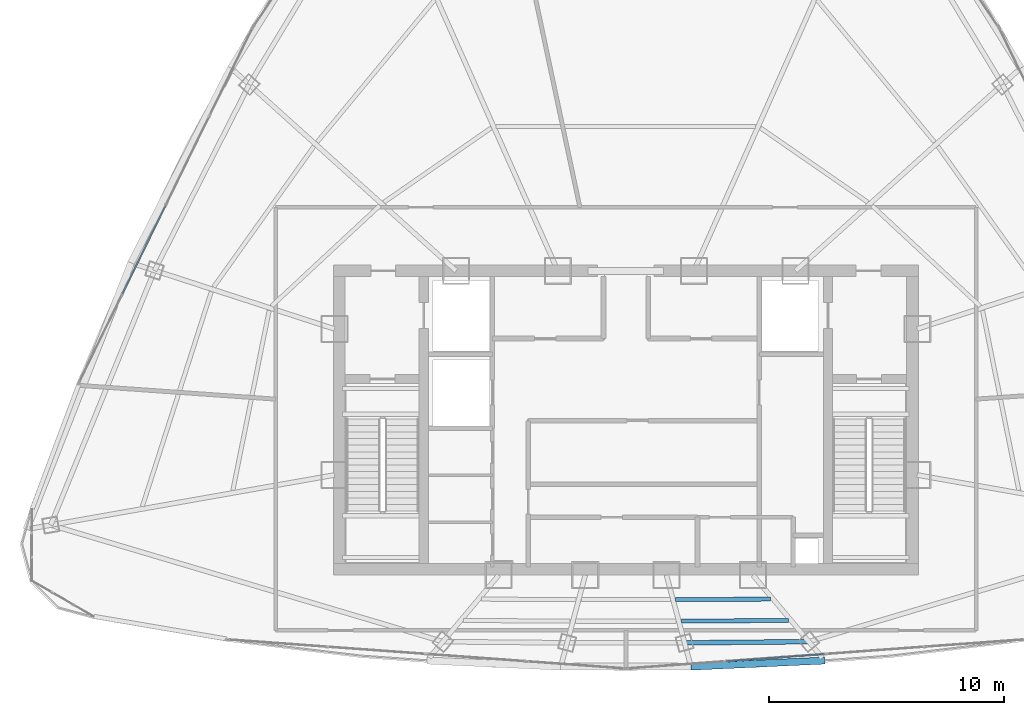
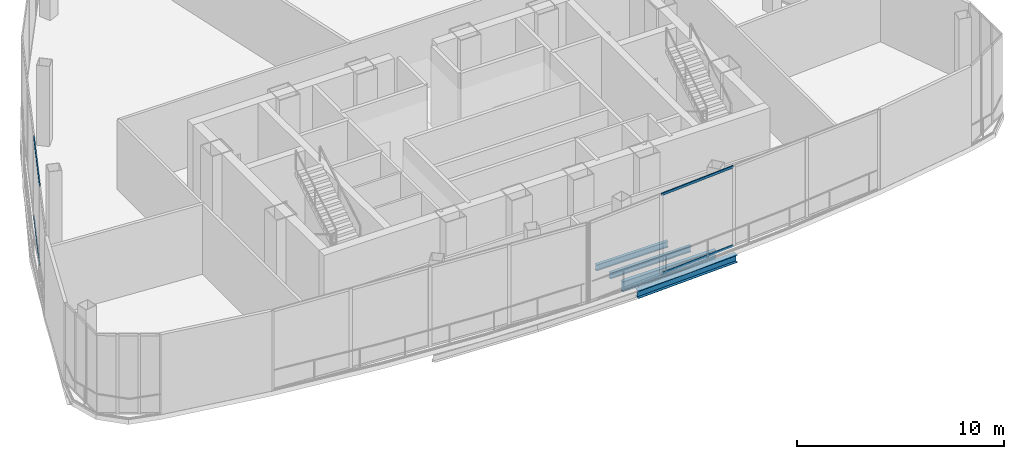
# One storey, part 9 of 33: 4 beams, 4 members, 2 elements without a shape of their own.
"""IFC4 building model written with IfcOpenShell, lengths in metres."""

from ifc_helpers import new_model, si_unit, direction, frame, origin, origin_2d, place, context, subcontext, project, spatial, hollow_rectangle, i_section, extrude, source, transform, mapped, material, layer, layer_set, material_profile, profile_set, type_object, element, aggregate, save


model = new_model("IFC4")

# Units and contexts
model_context = context("Model", 3, precision=1e-05, world=origin(), true_north=direction((0.0, 1.0)))
body_context = subcontext(model_context, "Body", "Model", "MODEL_VIEW")
ifc_project = project(units=[si_unit("LENGTHUNIT", "METRE"), si_unit("AREAUNIT", "SQUARE_METRE"), si_unit("VOLUMEUNIT", "CUBIC_METRE"), si_unit("PLANEANGLEUNIT", "RADIAN"), si_unit("MASSUNIT", "GRAM", prefix="KILO"), si_unit("THERMODYNAMICTEMPERATUREUNIT", "KELVIN"), si_unit("POWERUNIT", "WATT")], contexts=[model_context])

# Site, building, storey
site_placement = place(None, origin())
site = spatial("IfcSite", under=ifc_project, at=site_placement, CompositionType="ELEMENT")
building_placement = place(site_placement, origin())
building = spatial("IfcBuilding", under=site, at=building_placement, Name="Yunzhuo Pagoda Commons", CompositionType="ELEMENT")
storey_placement = place(building_placement, frame((0.0, 0.0, 391.760009765625)))
storey = spatial("IfcBuildingStorey", under=building, at=storey_placement, Name="L97", CompositionType="ELEMENT", Elevation=391.760009765625)

# Beams
ifc_material_1 = material(Name="Structural steel Q355B", Category="steel")
ifc_material_profile_1 = material_profile(ifc_material_1, i_section(OverallWidth=0.199951171875, OverallDepth=0.60009765625, WebThickness=0.010986328125, FlangeThickness=0.01708984375, at=origin_2d()), Name="Structural steel Q355B")
ifc_profile_set_1 = profile_set([ifc_material_profile_1], Name="Structural steel Q355B")
beam_type_1 = type_object("IfcBeamType", Name="B-RG3 Beam HN 600x200x11x17", PredefinedType="BEAM", material=ifc_profile_set_1)
shared_shape_1 = source(origin(), body_context, "Body", "SweptSolid", [
    extrude(i_section(OverallWidth=0.199951171875, OverallDepth=0.60009765625, WebThickness=0.010986328125, FlangeThickness=0.01708984375, at=origin_2d()), origin(), (0.0, 0.0, 1.0), 5.286376953125),
])
beam_1_placement = place(storey_placement, frame((50.499267578125, 24.372802734375, -0.580078125), z_axis=(0.999957341442, 0.009236627946, 0.0), x_axis=(-0.009236627946, 0.999957341442, 0.0)))
element("IfcBeam", 1, at=beam_1_placement, inside=storey, type_object=beam_type_1, Name="L97 column-ring beam 3", PredefinedType="BEAM", context=body_context, shape_type="MappedRepresentation", body=[
    mapped(shared_shape_1, transform((0.0, 0.0, 0.0), scale=1.0)),
])
ifc_material_profile_2 = material_profile(ifc_material_1, i_section(OverallWidth=0.175048828125, OverallDepth=0.35009765625, WebThickness=0.007080078125, FlangeThickness=0.010986328125, at=origin_2d()), Name="Structural steel Q355B")
ifc_profile_set_2 = profile_set([ifc_material_profile_2], Name="Structural steel Q355B")
beam_type_2 = type_object("IfcBeamType", Name="B-JS2 Joist HN 350x175x7x11", PredefinedType="JOIST", material=ifc_profile_set_2)
shared_shape_2 = source(origin(), body_context, "Body", "SweptSolid", [
    extrude(i_section(OverallWidth=0.175048828125, OverallDepth=0.35009765625, WebThickness=0.007080078125, FlangeThickness=0.010986328125, at=origin_2d()), origin(), (0.0, 0.0, 1.0), 4.03076171875),
])
beam_2_placement = place(storey_placement, frame((50.120849609375, 26.214599609375, -0.455078125), z_axis=(0.999991518197, 0.004118680996, 0.0), x_axis=(-0.004118680996, 0.999991518197, 0.0)))
element("IfcBeam", 2, at=beam_2_placement, inside=storey, type_object=beam_type_2, Name="L97 composite ring joist 1.3", PredefinedType="JOIST", context=body_context, shape_type="MappedRepresentation", body=[
    mapped(shared_shape_2, transform((0.0, 0.0, 0.0), scale=1.0)),
])
shared_shape_3 = source(origin(), body_context, "Body", "SweptSolid", [
    extrude(i_section(OverallWidth=0.175048828125, OverallDepth=0.35009765625, WebThickness=0.007080078125, FlangeThickness=0.010986328125, at=origin_2d()), origin(), (0.0, 0.0, 1.0), 4.54345703125),
])
beam_3_placement = place(storey_placement, frame((50.367431640625, 25.29443359375, -0.455078125), z_axis=(0.999975976237, 0.006931590593, 0.0), x_axis=(-0.006931590593, 0.999975976237, 0.0)))
element("IfcBeam", 3, at=beam_3_placement, inside=storey, type_object=beam_type_2, Name="L97 composite ring joist 2.3", PredefinedType="JOIST", context=body_context, shape_type="MappedRepresentation", body=[
    mapped(shared_shape_3, transform((0.0, 0.0, 0.0), scale=1.0)),
])
ifc_material_profile_3 = material_profile(ifc_material_1, i_section(OverallWidth=0.300048828125, OverallDepth=0.43994140625, WebThickness=0.010986328125, FlangeThickness=0.01806640625, at=origin_2d()), Name="Structural steel Q355B")
ifc_profile_set_3 = profile_set([ifc_material_profile_3], Name="Structural steel Q355B")
beam_type_3 = type_object("IfcBeamType", Name="B-SP2 Beam HM 440x300x11x18", PredefinedType="BEAM", material=ifc_profile_set_3)
shared_shape_4 = source(origin(), body_context, "Body", "SweptSolid", [
    extrude(i_section(OverallWidth=0.300048828125, OverallDepth=0.43994140625, WebThickness=0.010986328125, FlangeThickness=0.01806640625, at=origin_2d()), origin(), (0.0, 0.0, 1.0), 5.6953125),
])
beam_4_placement = place(storey_placement, frame((50.77099609375, 23.358642578125, -0.5), z_axis=(0.998967125564, 0.045438772447, 0.0), x_axis=(-0.045438772447, 0.998967125564, 0.0)))
element("IfcBeam", 4, at=beam_4_placement, inside=storey, type_object=beam_type_3, Name="L97 facade edge spandrel beam F1.3", PredefinedType="BEAM", context=body_context, shape_type="MappedRepresentation", body=[
    mapped(shared_shape_4, transform((0.0, 0.0, 0.0), scale=1.0)),
])

# Curtain wall, members
ifc_material_2 = material(Name="Anodized aluminium 6063-T6", Category="aluminium")
ifc_layer = layer(ifc_material_2, 0.179931640625)
ifc_layer_set = layer_set([ifc_layer], Name="Anodized aluminium 6063-T6")
curtain_wall_type = type_object("IfcCurtainWallType", Name="CW-CRN Crown Gable Glazing System", PredefinedType="NOTDEFINED", material=ifc_layer_set)
curtain_wall_1_placement = place(storey_placement, origin())
curtain_wall_1 = element("IfcCurtainWall", 5, at=curtain_wall_1_placement, inside=storey, type_object=curtain_wall_type, Name="L97 curtain wall CW-L97-CRNF1G2", PredefinedType="NOTDEFINED")
ifc_material_profile_4 = material_profile(ifc_material_2, hollow_rectangle(XDim=0.06005859375, YDim=0.139892578125, WallThickness=0.00341796875, at=origin_2d()), Name="Anodized aluminium 6063-T6")
ifc_profile_set_4 = profile_set([ifc_material_profile_4], Name="Anodized aluminium 6063-T6")
member_type = type_object("IfcMemberType", Name="CW-CRN-T Transom RHS 140x60x3.5", PredefinedType="USERDEFINED", material=ifc_profile_set_4)
shared_shape_5 = source(origin(), body_context, "Body", "SweptSolid", [
    extrude(hollow_rectangle(XDim=0.06005859375, YDim=0.139892578125, WallThickness=0.00341796875, at=origin_2d()), origin(), (0.0, 0.0, 1.0), 4.192626953125),
])
member_1_placement = place(storey_placement, frame((52.272705078125, 23.586181640625, 0.030029296875), z_axis=(0.99734724805, 0.072790568113, 0.0), x_axis=(-0.072790568113, 0.99734724805, 0.0)))
member_1 = element("IfcMember", 6, at=member_1_placement, type_object=member_type, Name="CW transom 2.1", ObjectType="TRANSOM", PredefinedType="USERDEFINED", context=body_context, shape_type="MappedRepresentation", body=[
    mapped(shared_shape_5, transform((0.0, 0.0, 0.0), scale=1.0)),
])
member_2_placement = place(storey_placement, frame((52.272705078125, 23.586181640625, 4.68994140625), z_axis=(0.99734724805, 0.072790568113, 0.0), x_axis=(-0.072790568113, 0.99734724805, 0.0)))
member_2 = element("IfcMember", 7, at=member_2_placement, type_object=member_type, Name="CW transom 2.2", ObjectType="TRANSOM", PredefinedType="USERDEFINED", context=body_context, shape_type="MappedRepresentation", body=[
    mapped(shared_shape_5, transform((0.0, 0.0, 0.0), scale=1.0)),
])
aggregate(curtain_wall_1, [member_1, member_2])

curtain_wall_2_placement = place(storey_placement, origin())
curtain_wall_2 = element("IfcCurtainWall", 8, at=curtain_wall_2_placement, inside=storey, type_object=curtain_wall_type, Name="L97 curtain wall CW-L97-CRNF3G2", PredefinedType="NOTDEFINED")
shared_shape_6 = source(origin(), body_context, "Body", "SweptSolid", [
    extrude(hollow_rectangle(XDim=0.06005859375, YDim=0.139892578125, WallThickness=0.00341796875, at=origin_2d()), origin(), (0.0, 0.0, 1.0), 4.157470703125),
])
member_3_placement = place(storey_placement, frame((28.415283203125, 42.966552734375, 0.030029296875), z_axis=(-0.439374430699, -0.898304018497, 0.0), x_axis=(0.898304018497, -0.439374430699, 0.0)))
member_3 = element("IfcMember", 9, at=member_3_placement, type_object=member_type, Name="CW transom 3.1", ObjectType="TRANSOM", PredefinedType="USERDEFINED", context=body_context, shape_type="MappedRepresentation", body=[
    mapped(shared_shape_6, transform((0.0, 0.0, 0.0), scale=1.0)),
])
member_4_placement = place(storey_placement, frame((28.415283203125, 42.966552734375, 4.68994140625), z_axis=(-0.439374430699, -0.898304018497, 0.0), x_axis=(0.898304018497, -0.439374430699, 0.0)))
member_4 = element("IfcMember", 10, at=member_4_placement, type_object=member_type, Name="CW transom 3.2", ObjectType="TRANSOM", PredefinedType="USERDEFINED", context=body_context, shape_type="MappedRepresentation", body=[
    mapped(shared_shape_6, transform((0.0, 0.0, 0.0), scale=1.0)),
])
aggregate(curtain_wall_2, [member_3, member_4])

save(model, "model.ifc")
